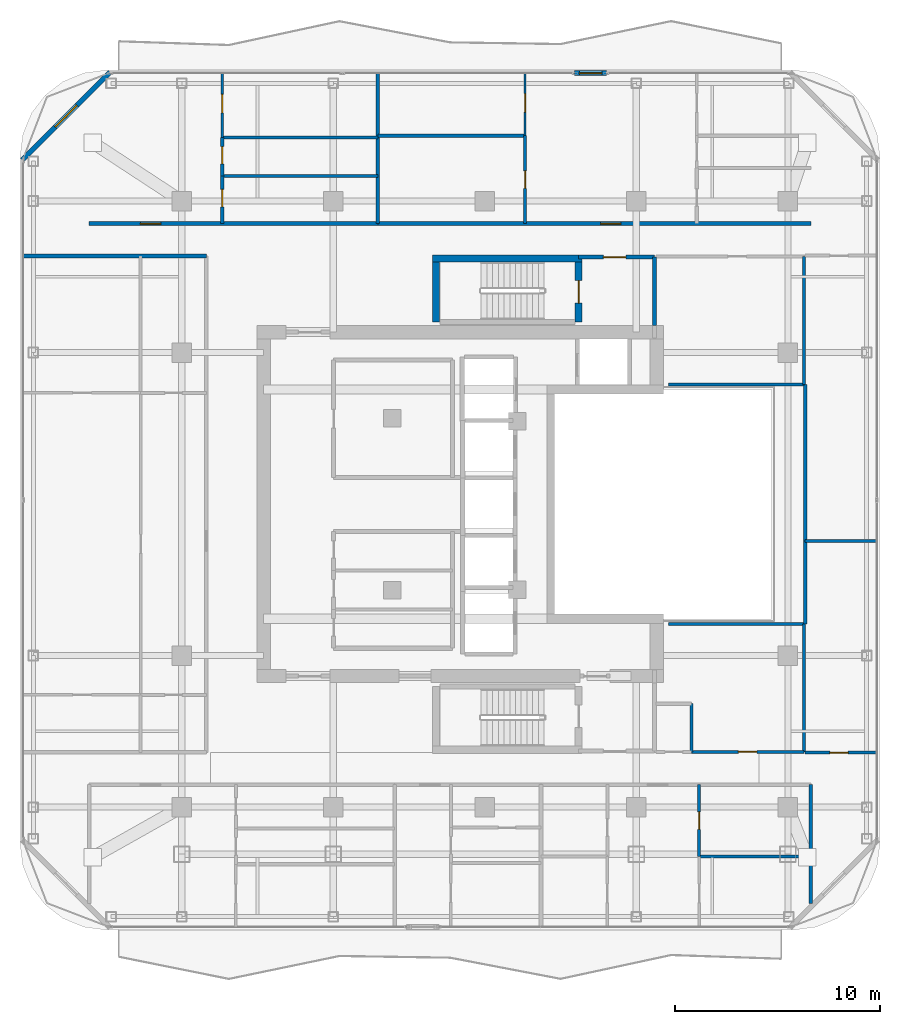
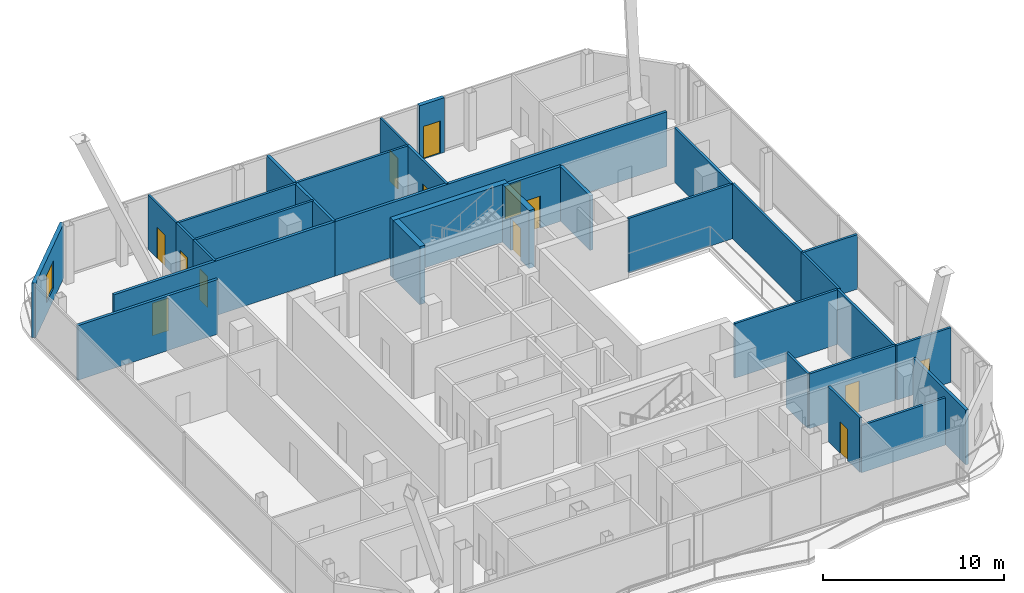
# One storey, part 20 of 24: 32 walls, 13 doors, 1 window, 14 openings.
"""IFC4 building model written with IfcOpenShell, lengths in metres."""

from ifc_helpers import new_model, si_unit, direction, frame, frame_2d, origin, place, context, subcontext, project, spatial, rectangle, extrude, material, layer, layer_set, type_object, element, fill, save


model = new_model("IFC4")

# Units and contexts
model_context = context("Model", 3, precision=1e-05, world=origin(), true_north=direction((0.0, 1.0)))
body_context = subcontext(model_context, "Body", "Model", "MODEL_VIEW")
ifc_project = project(units=[si_unit("LENGTHUNIT", "METRE"), si_unit("AREAUNIT", "SQUARE_METRE"), si_unit("VOLUMEUNIT", "CUBIC_METRE"), si_unit("PLANEANGLEUNIT", "RADIAN"), si_unit("MASSUNIT", "GRAM", prefix="KILO")], contexts=[model_context])

# Site, building, storey
site_placement = place(None, origin())
site = spatial("IfcSite", under=ifc_project, at=site_placement, CompositionType="ELEMENT")
building_placement = place(site_placement, origin())
building = spatial("IfcBuilding", under=site, at=building_placement, Name="Khorvyn Point Tower", CompositionType="ELEMENT")
storey_placement = place(building_placement, frame((0.0, 0.0, 301.5)))
storey = spatial("IfcBuildingStorey", under=building, at=storey_placement, Name="L74", CompositionType="ELEMENT", Elevation=301.5)

# Wall, opening, door
ifc_material_1 = material(Name="Double acoustic gypsum on twin steel stud", Category="steel")
ifc_layer_1 = layer(ifc_material_1, 0.179931640625)
ifc_layer_set_1 = layer_set([ifc_layer_1], Name="Acoustic Double-Stud Apartment Demising Wall 180")
wall_type_1 = type_object("IfcWallType", Name="Acoustic Double-Stud Apartment Demising Wall 180", PredefinedType="PARTITIONING", material=ifc_layer_set_1)
wall_1_placement = place(storey_placement, frame((-19.320068359375, 13.699951171875, 0.0), z_axis=(0.0, 0.0, 1.0), x_axis=(1.0, 0.0, 0.0)))
wall_1 = element("IfcWall", 1, at=wall_1_placement, inside=storey, type_object=wall_type_1, Name="Wall", PredefinedType="PARTITIONING", context=body_context, shape_type="SweptSolid", body=[
    extrude(rectangle(XDim=14.095947265625, YDim=0.179931640625, at=frame_2d((7.0478515625, 0.0))), origin(), (0.0, 0.0, 1.0), 3.679931640625),
])
opening_1_placement = place(wall_1_placement, frame((2.499267578125, 0.0, 0.0)))
opening_1 = element("IfcOpeningElement", 2, at=opening_1_placement, cuts=wall_1, Name="Opening ID-AP60", PredefinedType="OPENING", context=body_context, shape_type="SweptSolid", body=[
    extrude(rectangle(XDim=1.0, YDim=2.199951171875, at=frame_2d((0.5, 1.10009765625))), frame((0.0, 0.099853515625, 0.0), z_axis=(0.0, -1.0, 0.0), x_axis=(1.0, 0.0, 0.0)), (0.0, 0.0, 1.0), 0.199951171875),
])
ifc_material_2 = material(Name="Engineered hardwood fire-rated leaf", Category="wood")
door_type_1 = type_object("IfcDoorType", Name="Acoustic Solid-Core Timber Apartment Entrance Door 1000x2200", OperationType="NOTDEFINED", PredefinedType="DOOR", material=ifc_material_2)
door_1_placement = place(opening_1_placement, origin())
door_1 = element("IfcDoor", 3, at=door_1_placement, inside=storey, type_object=door_type_1, Name="Door", OperationType="SINGLE_SWING_LEFT", OverallHeight=2.199951171875, OverallWidth=1.0, PredefinedType="DOOR", context=body_context, shape_type="SweptSolid", body=[
    extrude(rectangle(XDim=1.0, YDim=2.199951171875, at=frame_2d((0.5, 1.10009765625))), frame((0.0, 0.02490234375, 0.0), z_axis=(0.0, -1.0, 0.0), x_axis=(1.0, 0.0, 0.0)), (0.0, 0.0, 1.0), 0.050048828125),
])
fill(opening_1, door_1)

wall_2_placement = place(storey_placement, frame((-5.22412109375, 13.699951171875, 0.0), z_axis=(0.0, 0.0, 1.0), x_axis=(1.0, 0.0, 0.0)))
wall_2 = element("IfcWall", 4, at=wall_2_placement, inside=storey, type_object=wall_type_1, Name="Wall", PredefinedType="PARTITIONING", context=body_context, shape_type="SweptSolid", body=[
    extrude(rectangle(XDim=21.14404296875, YDim=0.179931640625, at=frame_2d((10.572021484375, 0.0))), origin(), (0.0, 0.0, 1.0), 3.679931640625),
])
opening_2_placement = place(wall_2_placement, frame((10.875732421875, 0.0, 0.0)))
opening_2 = element("IfcOpeningElement", 5, at=opening_2_placement, cuts=wall_2, Name="Opening ID-AP60", PredefinedType="OPENING", context=body_context, shape_type="SweptSolid", body=[
    extrude(rectangle(XDim=1.0, YDim=2.199951171875, at=frame_2d((0.5, 1.10009765625))), frame((0.0, 0.099853515625, 0.0), z_axis=(0.0, -1.0, 0.0), x_axis=(1.0, 0.0, 0.0)), (0.0, 0.0, 1.0), 0.199951171875),
])
door_2_placement = place(opening_2_placement, origin())
door_2 = element("IfcDoor", 6, at=door_2_placement, inside=storey, type_object=door_type_1, Name="Door", OperationType="SINGLE_SWING_LEFT", OverallHeight=2.199951171875, OverallWidth=1.0, PredefinedType="DOOR", context=body_context, shape_type="SweptSolid", body=[
    extrude(rectangle(XDim=1.0, YDim=2.199951171875, at=frame_2d((0.5, 1.10009765625))), frame((0.0, 0.02490234375, 0.0), z_axis=(0.0, -1.0, 0.0), x_axis=(1.0, 0.0, 0.0)), (0.0, 0.0, 1.0), 0.050048828125),
])
fill(opening_2, door_2)

# Walls
wall_3_placement = place(storey_placement, frame((-5.22412109375, 13.699951171875, 0.0), z_axis=(0.0, 0.0, 1.0), x_axis=(0.0, 1.0, 0.0)))
element("IfcWall", 7, at=wall_3_placement, inside=storey, type_object=wall_type_1, Name="Wall", PredefinedType="PARTITIONING", context=body_context, shape_type="SweptSolid", body=[
    extrude(rectangle(XDim=7.330078125, YDim=0.179931640625, at=frame_2d((3.6650390625, 0.0))), origin(), (0.0, 0.0, 1.0), 3.679931640625),
])
wall_4_placement = place(storey_placement, frame((15.919921875, -19.510009765625, 0.0), z_axis=(0.0, 0.0, 1.0), x_axis=(0.0, 1.0, 0.0)))
element("IfcWall", 8, at=wall_4_placement, inside=storey, type_object=wall_type_1, Name="Wall", PredefinedType="PARTITIONING", context=body_context, shape_type="SweptSolid", body=[
    extrude(rectangle(XDim=5.81005859375, YDim=0.179931640625, at=frame_2d((2.905029296875, 0.0))), origin(), (0.0, 0.0, 1.0), 3.679931640625),
])
wall_5_placement = place(storey_placement, frame((-22.530029296875, 12.1201171875, 0.0), z_axis=(0.0, 0.0, 1.0), x_axis=(1.0, 0.0, 0.0)))
element("IfcWall", 9, at=wall_5_placement, inside=storey, type_object=wall_type_1, Name="Wall", PredefinedType="PARTITIONING", context=body_context, shape_type="SweptSolid", body=[
    extrude(rectangle(XDim=8.929931640625, YDim=0.179931640625, at=frame_2d((4.46484375, 0.0))), origin(), (0.0, 0.0, 1.0), 3.679931640625),
])

# Wall, opening, door
ifc_material_3 = material(Name="Pale anodised aluminium rainscreen on steel stud", Category="steel")
ifc_layer_2 = layer(ifc_material_3, 0.239990234375)
ifc_layer_set_2 = layer_set([ifc_layer_2], Name="Anodised Aluminium Insulated Corner Spandrel Wall 240")
wall_type_2 = type_object("IfcWallType", Name="Anodised Aluminium Insulated Corner Spandrel Wall 240", PredefinedType="SOLIDWALL", material=ifc_layer_set_2)
wall_6_placement = place(storey_placement, frame((4.3740234375, 21.050048828125, 0.0), z_axis=(0.0, 0.0, 1.0), x_axis=(1.0, 0.0, 0.0)))
wall_6 = element("IfcWall", 10, at=wall_6_placement, inside=storey, type_object=wall_type_2, Name="L74 North Outdoor Threshold Wall", PredefinedType="SOLIDWALL", context=body_context, shape_type="SweptSolid", body=[
    extrude(rectangle(XDim=1.580078125, YDim=0.239990234375, at=frame_2d((0.7900390625, 0.0))), origin(), (0.0, 0.0, 1.0), 3.679931640625),
])
opening_3_placement = place(wall_6_placement, frame((0.239990234375, 0.0, 0.0)))
opening_3 = element("IfcOpeningElement", 11, at=opening_3_placement, cuts=wall_6, Name="Opening BD-1122", PredefinedType="OPENING", context=body_context, shape_type="SweptSolid", body=[
    extrude(rectangle(XDim=1.10009765625, YDim=2.199951171875, at=frame_2d((0.550048828125, 1.10009765625))), frame((0.0, 0.1298828125, 0.0), z_axis=(0.0, -1.0, 0.0), x_axis=(1.0, 0.0, 0.0)), (0.0, 0.0, 1.0), 0.260009765625),
])
ifc_material_4 = material(Name="Anodised aluminium 6063-T6 and laminated Low-E glass", Category="aluminium")
door_type_2 = type_object("IfcDoorType", Name="Glazed Balcony and Terrace Threshold Door 1100x2200", OperationType="NOTDEFINED", PredefinedType="DOOR", material=ifc_material_4)
door_3_placement = place(opening_3_placement, origin())
door_3 = element("IfcDoor", 12, at=door_3_placement, inside=storey, type_object=door_type_2, Name="L74 North Glazed Balcony Outdoor Door", OperationType="SINGLE_SWING_RIGHT", OverallHeight=2.199951171875, OverallWidth=1.10009765625, PredefinedType="DOOR", context=body_context, shape_type="SweptSolid", body=[
    extrude(rectangle(XDim=1.10009765625, YDim=2.199951171875, at=frame_2d((0.550048828125, 1.10009765625))), frame((0.0, 0.02490234375, 0.0), z_axis=(0.0, -1.0, 0.0), x_axis=(1.0, 0.0, 0.0)), (0.0, 0.0, 1.0), 0.050048828125),
])
fill(opening_3, door_3)

# Wall, opening, window
wall_7_placement = place(storey_placement, frame((-22.59228515625, 16.8076171875, 0.0), z_axis=(0.0, 0.0, 1.0), x_axis=(0.707106781187, 0.707106781187, 0.0)))
wall_7 = element("IfcWall", 13, at=wall_7_placement, inside=storey, type_object=wall_type_2, Name="L74 Rounded Corner Wall NW", PredefinedType="SOLIDWALL", context=body_context, shape_type="SweptSolid", body=[
    extrude(rectangle(XDim=6.059326171875, YDim=0.239990234375, at=frame_2d((3.02978515625, 0.0))), origin(), (0.0, 0.0, 1.0), 3.679931640625),
])
opening_4_placement = place(wall_7_placement, frame((2.27978515625, 0.0, 0.800048828125)))
opening_4 = element("IfcOpeningElement", 14, at=opening_4_placement, cuts=wall_7, Name="Opening WN-1518", PredefinedType="OPENING", context=body_context, shape_type="SweptSolid", body=[
    extrude(rectangle(XDim=1.5, YDim=1.85009765625, at=frame_2d((0.75, 0.925048828125))), frame((0.0, 0.1298828125, 0.0), z_axis=(0.0, -1.0, 0.0), x_axis=(1.0, 0.0, 0.0)), (0.0, 0.0, 1.0), 0.260009765625),
])
window_type = type_object("IfcWindowType", Name="Anodised Aluminium Rounded-Corner Panoramic Window 1500x1850", PartitioningType="SINGLE_PANEL", PredefinedType="WINDOW", material=ifc_material_4)
window_placement = place(opening_4_placement, origin())
window = element("IfcWindow", 15, at=window_placement, inside=storey, type_object=window_type, Name="L74 Corner Panoramic Window NW", OverallHeight=1.85009765625, OverallWidth=1.5, PartitioningType="SINGLE_PANEL", PredefinedType="WINDOW", context=body_context, shape_type="SweptSolid", body=[
    extrude(rectangle(XDim=1.5, YDim=1.85009765625, at=frame_2d((0.75, 0.925048828125))), frame((0.0, 0.030029296875, 0.0), z_axis=(0.0, -1.0, 0.0), x_axis=(1.0, 0.0, 0.0)), (0.0, 0.0, 1.0), 0.06005859375),
])
fill(opening_4, window)

# Wall, opening, door
ifc_material_5 = material(Name="Concrete C40/50", Category="concrete")
ifc_layer_3 = layer(ifc_material_5, 0.199951171875)
ifc_layer_set_3 = layer_set([ifc_layer_3], Name="Concrete C40/50 Fire-Lobby Compartment Wall 200")
wall_type_3 = type_object("IfcWallType", Name="Concrete C40/50 Fire-Lobby Compartment Wall 200", PredefinedType="SOLIDWALL", material=ifc_layer_set_3)
wall_8_placement = place(storey_placement, frame((4.580078125, 12.06005859375, 0.0), z_axis=(0.0, 0.0, 1.0), x_axis=(1.0, 0.0, 0.0)))
wall_8 = element("IfcWall", 16, at=wall_8_placement, inside=storey, type_object=wall_type_3, Name="Wall", PredefinedType="SOLIDWALL", context=body_context, shape_type="SweptSolid", body=[
    extrude(rectangle(XDim=3.699951171875, YDim=0.199951171875, at=frame_2d((1.85009765625, 0.0))), origin(), (0.0, 0.0, 1.0), 3.679931640625),
])
opening_5_placement = place(wall_8_placement, frame((1.21240234375, 0.0, 0.0)))
opening_5 = element("IfcOpeningElement", 17, at=opening_5_placement, cuts=wall_8, Name="Opening ID-FL90", PredefinedType="OPENING", context=body_context, shape_type="SweptSolid", body=[
    extrude(rectangle(XDim=1.10009765625, YDim=2.14990234375, at=frame_2d((0.550048828125, 1.074951171875))), frame((0.0, 0.10986328125, 0.0), z_axis=(0.0, -1.0, 0.0), x_axis=(1.0, 0.0, 0.0)), (0.0, 0.0, 1.0), 0.219970703125),
])
ifc_material_6 = material(Name="Galvanised powder-coated steel", Category="steel")
door_type_3 = type_object("IfcDoorType", Name="Fire-Rated Steel Lobby and Stair Door 1100x2150", OperationType="NOTDEFINED", PredefinedType="DOOR", material=ifc_material_6)
door_4_placement = place(opening_5_placement, origin())
door_4 = element("IfcDoor", 18, at=door_4_placement, inside=storey, type_object=door_type_3, Name="Door", OperationType="SINGLE_SWING_LEFT", OverallHeight=2.14990234375, OverallWidth=1.10009765625, PredefinedType="DOOR", context=body_context, shape_type="SweptSolid", body=[
    extrude(rectangle(XDim=1.10009765625, YDim=2.14990234375, at=frame_2d((0.550048828125, 1.074951171875))), frame((0.0, 0.02490234375, 0.0), z_axis=(0.0, -1.0, 0.0), x_axis=(1.0, 0.0, 0.0)), (0.0, 0.0, 1.0), 0.050048828125),
])
fill(opening_5, door_4)

# Walls
wall_9_placement = place(storey_placement, frame((8.280029296875, 8.72509765625, 0.0), z_axis=(0.0, 0.0, 1.0), x_axis=(0.0, 1.0, 0.0)))
element("IfcWall", 19, at=wall_9_placement, inside=storey, type_object=wall_type_3, Name="Wall", PredefinedType="SOLIDWALL", context=body_context, shape_type="SweptSolid", body=[
    extrude(rectangle(XDim=3.3349609375, YDim=0.199951171875, at=frame_2d((1.66748046875, 0.0))), origin(), (0.0, 0.0, 1.0), 3.679931640625),
])
ifc_layer_4 = layer(ifc_material_5, 0.35009765625)
ifc_layer_set_4 = layer_set([ifc_layer_4], Name="Concrete C40/50 Stair Shaft Structural Wall 350")
wall_type_4 = type_object("IfcWallType", Name="Concrete C40/50 Stair Shaft Structural Wall 350", PredefinedType="SHEAR", material=ifc_layer_set_4)
wall_10_placement = place(storey_placement, frame((-2.554931640625, 12.0, 0.0), z_axis=(0.0, 0.0, 1.0), x_axis=(1.0, 0.0, 0.0)))
element("IfcWall", 20, at=wall_10_placement, inside=storey, type_object=wall_type_4, Name="L74 ST-02 North Shaft Wall", PredefinedType="SHEAR", context=body_context, shape_type="SweptSolid", body=[
    extrude(rectangle(XDim=7.309814453125, YDim=0.35009765625, at=frame_2d((3.65478515625, 0.0))), origin(), (0.0, 0.0, 1.0), 3.89990234375),
])
wall_11_placement = place(storey_placement, frame((-2.3798828125, 8.89990234375, 0.0), z_axis=(0.0, 0.0, 1.0), x_axis=(0.0, 1.0, 0.0)))
element("IfcWall", 21, at=wall_11_placement, inside=storey, type_object=wall_type_4, Name="L74 ST-02 West Shaft Wall", PredefinedType="SHEAR", context=body_context, shape_type="SweptSolid", body=[
    extrude(rectangle(XDim=2.925048828125, YDim=0.35009765625, at=frame_2d((1.46240234375, 0.0))), origin(), (0.0, 0.0, 1.0), 3.89990234375),
])

# Wall, opening, door
wall_12_placement = place(storey_placement, frame((4.580078125, 11.824951171875, 0.0), z_axis=(0.0, 0.0, 1.0), x_axis=(0.0, -1.0, 0.0)))
wall_12 = element("IfcWall", 22, at=wall_12_placement, inside=storey, type_object=wall_type_4, Name="L74 ST-02 East Landing Door Wall", PredefinedType="SHEAR", context=body_context, shape_type="SweptSolid", body=[
    extrude(rectangle(XDim=2.925048828125, YDim=0.35009765625, at=frame_2d((1.46240234375, 0.0))), origin(), (0.0, 0.0, 1.0), 3.89990234375),
])
opening_6_placement = place(wall_12_placement, frame((0.91259765625, 0.0, 0.0)))
opening_6 = element("IfcOpeningElement", 23, at=opening_6_placement, cuts=wall_12, Name="Opening ID-FL90", PredefinedType="OPENING", context=body_context, shape_type="SweptSolid", body=[
    extrude(rectangle(XDim=1.10009765625, YDim=2.14990234375, at=frame_2d((0.550048828125, 1.074951171875))), frame((0.0, 0.18505859375, 0.0), z_axis=(0.0, -1.0, 0.0), x_axis=(1.0, 0.0, 0.0)), (0.0, 0.0, 1.0), 0.3701171875),
])
door_5_placement = place(opening_6_placement, origin())
door_5 = element("IfcDoor", 24, at=door_5_placement, inside=storey, type_object=door_type_3, Name="L74 ST-02 Smokeproof Landing Door", OperationType="SINGLE_SWING_LEFT", OverallHeight=2.14990234375, OverallWidth=1.10009765625, PredefinedType="DOOR", context=body_context, shape_type="SweptSolid", body=[
    extrude(rectangle(XDim=1.10009765625, YDim=2.14990234375, at=frame_2d((0.550048828125, 1.074951171875))), frame((0.0, 0.02490234375, 0.0), z_axis=(0.0, -1.0, 0.0), x_axis=(1.0, 0.0, 0.0)), (0.0, 0.0, 1.0), 0.050048828125),
])
fill(opening_6, door_5)

ifc_material_7 = material(Name="Gypsum plasterboard on steel stud", Category="steel")
ifc_layer_5 = layer(ifc_material_7, 0.1201171875)
ifc_layer_set_5 = layer_set([ifc_layer_5], Name="Gypsum Acoustic Stud Room Partition Wall 120")
wall_type_5 = type_object("IfcWallType", Name="Gypsum Acoustic Stud Room Partition Wall 120", PredefinedType="PARTITIONING", material=ifc_layer_set_5)
wall_13_placement = place(storey_placement, frame((-12.822021484375, 17.9130859375, 0.0), z_axis=(0.0, 0.0, 1.0), x_axis=(0.0, 1.0, 0.0)))
wall_13 = element("IfcWall", 25, at=wall_13_placement, inside=storey, type_object=wall_type_5, Name="Wall", PredefinedType="PARTITIONING", context=body_context, shape_type="SweptSolid", body=[
    extrude(rectangle(XDim=3.116943359375, YDim=0.1201171875, at=frame_2d((1.55859375, 0.0))), origin(), (0.0, 0.0, 1.0), 3.679931640625),
])
opening_7_placement = place(wall_13_placement, frame((1.194580078125, 0.0, 0.0)))
opening_7 = element("IfcOpeningElement", 26, at=opening_7_placement, cuts=wall_13, Name="Opening ID-RM90", PredefinedType="OPENING", context=body_context, shape_type="SweptSolid", body=[
    extrude(rectangle(XDim=0.89990234375, YDim=2.10009765625, at=frame_2d((0.449951171875, 1.050048828125))), frame((0.0, 0.070068359375, 0.0), z_axis=(0.0, -1.0, 0.0), x_axis=(1.0, 0.0, 0.0)), (0.0, 0.0, 1.0), 0.14013671875),
])
ifc_material_8 = material(Name="Engineered oak veneer timber", Category="wood")
door_type_4 = type_object("IfcDoorType", Name="Flush Engineered Timber Room Door 900x2100", OperationType="NOTDEFINED", PredefinedType="DOOR", material=ifc_material_8)
door_6_placement = place(opening_7_placement, origin())
door_6 = element("IfcDoor", 27, at=door_6_placement, inside=storey, type_object=door_type_4, Name="Door", OperationType="SINGLE_SWING_RIGHT", OverallHeight=2.10009765625, OverallWidth=0.89990234375, PredefinedType="DOOR", context=body_context, shape_type="SweptSolid", body=[
    extrude(rectangle(XDim=0.89990234375, YDim=2.10009765625, at=frame_2d((0.449951171875, 1.050048828125))), frame((0.0, 0.02490234375, 0.0), z_axis=(0.0, -1.0, 0.0), x_axis=(1.0, 0.0, 0.0)), (0.0, 0.0, 1.0), 0.050048828125),
])
fill(opening_7, door_6)

wall_14_placement = place(storey_placement, frame((1.964111328125, 17.989990234375, 0.0), z_axis=(0.0, 0.0, 1.0), x_axis=(0.0, 1.0, 0.0)))
wall_14 = element("IfcWall", 28, at=wall_14_placement, inside=storey, type_object=wall_type_5, Name="Wall", PredefinedType="PARTITIONING", context=body_context, shape_type="SweptSolid", body=[
    extrude(rectangle(XDim=3.0400390625, YDim=0.1201171875, at=frame_2d((1.52001953125, 0.0))), origin(), (0.0, 0.0, 1.0), 3.679931640625),
])
opening_8_placement = place(wall_14_placement, frame((1.152587890625, 0.0, 0.0)))
opening_8 = element("IfcOpeningElement", 29, at=opening_8_placement, cuts=wall_14, Name="Opening ID-RM90", PredefinedType="OPENING", context=body_context, shape_type="SweptSolid", body=[
    extrude(rectangle(XDim=0.89990234375, YDim=2.10009765625, at=frame_2d((0.449951171875, 1.050048828125))), frame((0.0, 0.070068359375, 0.0), z_axis=(0.0, -1.0, 0.0), x_axis=(1.0, 0.0, 0.0)), (0.0, 0.0, 1.0), 0.14013671875),
])
door_7_placement = place(opening_8_placement, origin())
door_7 = element("IfcDoor", 30, at=door_7_placement, inside=storey, type_object=door_type_4, Name="Door", OperationType="SINGLE_SWING_LEFT", OverallHeight=2.10009765625, OverallWidth=0.89990234375, PredefinedType="DOOR", context=body_context, shape_type="SweptSolid", body=[
    extrude(rectangle(XDim=0.89990234375, YDim=2.10009765625, at=frame_2d((0.449951171875, 1.050048828125))), frame((0.0, 0.02490234375, 0.0), z_axis=(0.0, -1.0, 0.0), x_axis=(1.0, 0.0, 0.0)), (0.0, 0.0, 1.0), 0.050048828125),
])
fill(opening_8, door_7)

ifc_material_9 = material(Name="Moisture-resistant gypsum and cement board", Category="gypsum")
ifc_layer_6 = layer(ifc_material_9, 0.14990234375)
ifc_layer_set_6 = layer_set([ifc_layer_6], Name="Moisture-Resistant Wet-Room Partition Wall 150")
wall_type_6 = type_object("IfcWallType", Name="Moisture-Resistant Wet-Room Partition Wall 150", PredefinedType="PARTITIONING", material=ifc_layer_set_6)
wall_15_placement = place(storey_placement, frame((10.10009765625, -12.10009765625, 0.0), z_axis=(0.0, 0.0, 1.0), x_axis=(1.0, 0.0, 0.0)))
wall_15 = element("IfcWall", 31, at=wall_15_placement, inside=storey, type_object=wall_type_6, Name="Wall", PredefinedType="PARTITIONING", context=body_context, shape_type="SweptSolid", body=[
    extrude(rectangle(XDim=5.47998046875, YDim=0.14990234375, at=frame_2d((2.739990234375, 0.0))), origin(), (0.0, 0.0, 1.0), 3.679931640625),
])
opening_9_placement = place(wall_15_placement, frame((2.2900390625, 0.0, 0.0)))
opening_9 = element("IfcOpeningElement", 32, at=opening_9_placement, cuts=wall_15, Name="Opening ID-RM90", PredefinedType="OPENING", context=body_context, shape_type="SweptSolid", body=[
    extrude(rectangle(XDim=0.89990234375, YDim=2.10009765625, at=frame_2d((0.449951171875, 1.050048828125))), frame((0.0, 0.0849609375, 0.0), z_axis=(0.0, -1.0, 0.0), x_axis=(1.0, 0.0, 0.0)), (0.0, 0.0, 1.0), 0.169921875),
])
door_8_placement = place(opening_9_placement, origin())
door_8 = element("IfcDoor", 33, at=door_8_placement, inside=storey, type_object=door_type_4, Name="Door", OperationType="SINGLE_SWING_LEFT", OverallHeight=2.10009765625, OverallWidth=0.89990234375, PredefinedType="DOOR", context=body_context, shape_type="SweptSolid", body=[
    extrude(rectangle(XDim=0.89990234375, YDim=2.10009765625, at=frame_2d((0.449951171875, 1.050048828125))), frame((0.0, 0.02490234375, 0.0), z_axis=(0.0, -1.0, 0.0), x_axis=(1.0, 0.0, 0.0)), (0.0, 0.0, 1.0), 0.050048828125),
])
fill(opening_9, door_8)

wall_16_placement = place(storey_placement, frame((-12.822021484375, 13.699951171875, 0.0), z_axis=(0.0, 0.0, 1.0), x_axis=(0.0, 1.0, 0.0)))
wall_16 = element("IfcWall", 34, at=wall_16_placement, inside=storey, type_object=wall_type_6, Name="Wall", PredefinedType="PARTITIONING", context=body_context, shape_type="SweptSolid", body=[
    extrude(rectangle(XDim=2.317138671875, YDim=0.14990234375, at=frame_2d((1.15869140625, 0.0))), origin(), (0.0, 0.0, 1.0), 3.679931640625),
])
opening_10_placement = place(wall_16_placement, frame((0.8154296875, 0.0, 0.0)))
opening_10 = element("IfcOpeningElement", 35, at=opening_10_placement, cuts=wall_16, Name="Opening ID-WC85", PredefinedType="OPENING", context=body_context, shape_type="SweptSolid", body=[
    extrude(rectangle(XDim=0.85009765625, YDim=2.10009765625, at=frame_2d((0.425048828125, 1.050048828125))), frame((0.0, 0.0849609375, 0.0), z_axis=(0.0, -1.0, 0.0), x_axis=(1.0, 0.0, 0.0)), (0.0, 0.0, 1.0), 0.169921875),
])
ifc_material_10 = material(Name="High-pressure laminate on moisture-resistant core", Category="wood")
door_type_5 = type_object("IfcDoorType", Name="Moisture-Resistant Accessible Washroom Door 850x2100", OperationType="NOTDEFINED", PredefinedType="DOOR", material=ifc_material_10)
door_9_placement = place(opening_10_placement, origin())
door_9 = element("IfcDoor", 36, at=door_9_placement, inside=storey, type_object=door_type_5, Name="Door", OperationType="SINGLE_SWING_RIGHT", OverallHeight=2.10009765625, OverallWidth=0.85009765625, PredefinedType="DOOR", context=body_context, shape_type="SweptSolid", body=[
    extrude(rectangle(XDim=0.85009765625, YDim=2.10009765625, at=frame_2d((0.425048828125, 1.050048828125))), frame((0.0, 0.02490234375, 0.0), z_axis=(0.0, -1.0, 0.0), x_axis=(1.0, 0.0, 0.0)), (0.0, 0.0, 1.0), 0.050048828125),
])
fill(opening_10, door_9)

wall_17_placement = place(storey_placement, frame((-12.822021484375, 16.01708984375, 0.0), z_axis=(0.0, 0.0, 1.0), x_axis=(0.0, 1.0, 0.0)))
wall_17 = element("IfcWall", 37, at=wall_17_placement, inside=storey, type_object=wall_type_6, Name="Wall", PredefinedType="PARTITIONING", context=body_context, shape_type="SweptSolid", body=[
    extrude(rectangle(XDim=1.89599609375, YDim=0.14990234375, at=frame_2d((0.947998046875, 0.0))), origin(), (0.0, 0.0, 1.0), 3.679931640625),
])
opening_11_placement = place(wall_17_placement, frame((0.595703125, 0.0, 0.0)))
opening_11 = element("IfcOpeningElement", 38, at=opening_11_placement, cuts=wall_17, Name="Opening ID-WC85", PredefinedType="OPENING", context=body_context, shape_type="SweptSolid", body=[
    extrude(rectangle(XDim=0.85009765625, YDim=2.10009765625, at=frame_2d((0.425048828125, 1.050048828125))), frame((0.0, 0.0849609375, 0.0), z_axis=(0.0, -1.0, 0.0), x_axis=(1.0, 0.0, 0.0)), (0.0, 0.0, 1.0), 0.169921875),
])
door_10_placement = place(opening_11_placement, origin())
door_10 = element("IfcDoor", 39, at=door_10_placement, inside=storey, type_object=door_type_5, Name="Door", OperationType="SINGLE_SWING_LEFT", OverallHeight=2.10009765625, OverallWidth=0.85009765625, PredefinedType="DOOR", context=body_context, shape_type="SweptSolid", body=[
    extrude(rectangle(XDim=0.85009765625, YDim=2.10009765625, at=frame_2d((0.425048828125, 1.050048828125))), frame((0.0, 0.02490234375, 0.0), z_axis=(0.0, -1.0, 0.0), x_axis=(1.0, 0.0, 0.0)), (0.0, 0.0, 1.0), 0.050048828125),
])
fill(opening_11, door_10)

wall_18_placement = place(storey_placement, frame((1.964111328125, 13.699951171875, 0.0), z_axis=(0.0, 0.0, 1.0), x_axis=(0.0, 1.0, 0.0)))
wall_18 = element("IfcWall", 40, at=wall_18_placement, inside=storey, type_object=wall_type_6, Name="Wall", PredefinedType="PARTITIONING", context=body_context, shape_type="SweptSolid", body=[
    extrude(rectangle(XDim=4.2900390625, YDim=0.14990234375, at=frame_2d((2.14501953125, 0.0))), origin(), (0.0, 0.0, 1.0), 3.679931640625),
])
opening_12_placement = place(wall_18_placement, frame((1.719970703125, 0.0, 0.0)))
opening_12 = element("IfcOpeningElement", 41, at=opening_12_placement, cuts=wall_18, Name="Opening ID-WC85", PredefinedType="OPENING", context=body_context, shape_type="SweptSolid", body=[
    extrude(rectangle(XDim=0.85009765625, YDim=2.10009765625, at=frame_2d((0.425048828125, 1.050048828125))), frame((0.0, 0.0849609375, 0.0), z_axis=(0.0, -1.0, 0.0), x_axis=(1.0, 0.0, 0.0)), (0.0, 0.0, 1.0), 0.169921875),
])
door_11_placement = place(opening_12_placement, origin())
door_11 = element("IfcDoor", 42, at=door_11_placement, inside=storey, type_object=door_type_5, Name="Door", OperationType="SINGLE_SWING_RIGHT", OverallHeight=2.10009765625, OverallWidth=0.85009765625, PredefinedType="DOOR", context=body_context, shape_type="SweptSolid", body=[
    extrude(rectangle(XDim=0.85009765625, YDim=2.10009765625, at=frame_2d((0.425048828125, 1.050048828125))), frame((0.0, 0.02490234375, 0.0), z_axis=(0.0, -1.0, 0.0), x_axis=(1.0, 0.0, 0.0)), (0.0, 0.0, 1.0), 0.050048828125),
])
fill(opening_12, door_11)

wall_19_placement = place(storey_placement, frame((10.469970703125, -17.218994140625, 0.0), z_axis=(0.0, 0.0, 1.0), x_axis=(0.0, 1.0, 0.0)))
wall_19 = element("IfcWall", 43, at=wall_19_placement, inside=storey, type_object=wall_type_6, Name="Wall", PredefinedType="PARTITIONING", context=body_context, shape_type="SweptSolid", body=[
    extrude(rectangle(XDim=3.51904296875, YDim=0.14990234375, at=frame_2d((1.759521484375, 0.0))), origin(), (0.0, 0.0, 1.0), 3.679931640625),
])
opening_13_placement = place(wall_19_placement, frame((1.33447265625, 0.0, 0.0)))
opening_13 = element("IfcOpeningElement", 44, at=opening_13_placement, cuts=wall_19, Name="Opening ID-WC85", PredefinedType="OPENING", context=body_context, shape_type="SweptSolid", body=[
    extrude(rectangle(XDim=0.85009765625, YDim=2.10009765625, at=frame_2d((0.425048828125, 1.050048828125))), frame((0.0, 0.0849609375, 0.0), z_axis=(0.0, -1.0, 0.0), x_axis=(1.0, 0.0, 0.0)), (0.0, 0.0, 1.0), 0.169921875),
])
door_12_placement = place(opening_13_placement, origin())
door_12 = element("IfcDoor", 45, at=door_12_placement, inside=storey, type_object=door_type_5, Name="Door", OperationType="SINGLE_SWING_RIGHT", OverallHeight=2.10009765625, OverallWidth=0.85009765625, PredefinedType="DOOR", context=body_context, shape_type="SweptSolid", body=[
    extrude(rectangle(XDim=0.85009765625, YDim=2.10009765625, at=frame_2d((0.425048828125, 1.050048828125))), frame((0.0, 0.02490234375, 0.0), z_axis=(0.0, -1.0, 0.0), x_axis=(1.0, 0.0, 0.0)), (0.0, 0.0, 1.0), 0.050048828125),
])
fill(opening_13, door_12)

wall_20_placement = place(storey_placement, frame((15.64990234375, -12.139892578125, 0.0), z_axis=(0.0, 0.0, 1.0), x_axis=(1.0, 0.0, 0.0)))
wall_20 = element("IfcWall", 46, at=wall_20_placement, inside=storey, type_object=wall_type_6, Name="Wall", PredefinedType="PARTITIONING", context=body_context, shape_type="SweptSolid", body=[
    extrude(rectangle(XDim=3.47021484375, YDim=0.14990234375, at=frame_2d((1.735107421875, 0.0))), origin(), (0.0, 0.0, 1.0), 3.679931640625),
])
opening_14_placement = place(wall_20_placement, frame((1.198486328125, 0.0, 0.0)))
opening_14 = element("IfcOpeningElement", 47, at=opening_14_placement, cuts=wall_20, Name="Opening ID-RM90", PredefinedType="OPENING", context=body_context, shape_type="SweptSolid", body=[
    extrude(rectangle(XDim=0.89990234375, YDim=2.10009765625, at=frame_2d((0.449951171875, 1.050048828125))), frame((0.0, 0.0849609375, 0.0), z_axis=(0.0, -1.0, 0.0), x_axis=(1.0, 0.0, 0.0)), (0.0, 0.0, 1.0), 0.169921875),
])
door_13_placement = place(opening_14_placement, origin())
door_13 = element("IfcDoor", 48, at=door_13_placement, inside=storey, type_object=door_type_4, Name="Door", OperationType="SINGLE_SWING_RIGHT", OverallHeight=2.10009765625, OverallWidth=0.89990234375, PredefinedType="DOOR", context=body_context, shape_type="SweptSolid", body=[
    extrude(rectangle(XDim=0.89990234375, YDim=2.10009765625, at=frame_2d((0.449951171875, 1.050048828125))), frame((0.0, 0.02490234375, 0.0), z_axis=(0.0, -1.0, 0.0), x_axis=(1.0, 0.0, 0.0)), (0.0, 0.0, 1.0), 0.050048828125),
])
fill(opening_14, door_13)

# Walls
wall_21_placement = place(storey_placement, frame((10.10009765625, -12.10009765625, 0.0), z_axis=(0.0, 0.0, 1.0), x_axis=(0.0, 1.0, 0.0)))
element("IfcWall", 49, at=wall_21_placement, inside=storey, type_object=wall_type_6, Name="Wall", PredefinedType="PARTITIONING", context=body_context, shape_type="SweptSolid", body=[
    extrude(rectangle(XDim=2.35009765625, YDim=0.14990234375, at=frame_2d((1.175048828125, 0.0))), origin(), (0.0, 0.0, 1.0), 3.679931640625),
])
wall_22_placement = place(storey_placement, frame((15.580078125, -12.10009765625, 0.0), z_axis=(0.0, 0.0, 1.0), x_axis=(0.0, 1.0, 0.0)))
element("IfcWall", 50, at=wall_22_placement, inside=storey, type_object=wall_type_6, Name="Wall", PredefinedType="PARTITIONING", context=body_context, shape_type="SweptSolid", body=[
    extrude(rectangle(XDim=6.25, YDim=0.14990234375, at=frame_2d((3.125, 0.0))), origin(), (0.0, 0.0, 1.0), 3.679931640625),
])
wall_23_placement = place(storey_placement, frame((8.9599609375, -5.85009765625, 0.0), z_axis=(0.0, 0.0, 1.0), x_axis=(1.0, 0.0, 0.0)))
element("IfcWall", 51, at=wall_23_placement, inside=storey, type_object=wall_type_6, Name="Wall", PredefinedType="PARTITIONING", context=body_context, shape_type="SweptSolid", body=[
    extrude(rectangle(XDim=6.6201171875, YDim=0.14990234375, at=frame_2d((3.31005859375, 0.0))), origin(), (0.0, 0.0, 1.0), 3.679931640625),
])
wall_24_placement = place(storey_placement, frame((15.580078125, 5.85009765625, 0.0), z_axis=(0.0, 0.0, 1.0), x_axis=(0.0, 1.0, 0.0)))
element("IfcWall", 52, at=wall_24_placement, inside=storey, type_object=wall_type_6, Name="Wall", PredefinedType="PARTITIONING", context=body_context, shape_type="SweptSolid", body=[
    extrude(rectangle(XDim=6.25, YDim=0.14990234375, at=frame_2d((3.125, 0.0))), origin(), (0.0, 0.0, 1.0), 3.679931640625),
])
wall_25_placement = place(storey_placement, frame((8.9599609375, 5.85009765625, 0.0), z_axis=(0.0, 0.0, 1.0), x_axis=(1.0, 0.0, 0.0)))
element("IfcWall", 53, at=wall_25_placement, inside=storey, type_object=wall_type_6, Name="Wall", PredefinedType="PARTITIONING", context=body_context, shape_type="SweptSolid", body=[
    extrude(rectangle(XDim=6.6201171875, YDim=0.14990234375, at=frame_2d((3.31005859375, 0.0))), origin(), (0.0, 0.0, 1.0), 3.679931640625),
])
for number, where, z_axis, x_axis, name in (
    (54, (-12.822021484375, 16.01708984375, 0.0), (0.0, 0.0, 1.0), (1.0, 0.0, 0.0), "Wall"),
    (55, (-12.822021484375, 17.9130859375, 0.0), (0.0, 0.0, 1.0), (1.0, 0.0, 0.0), "Wall"),
):
    element("IfcWall", number, at=place(storey_placement, frame(where, z_axis=z_axis, x_axis=x_axis)), inside=storey, type_object=wall_type_6, Name=name, PredefinedType="PARTITIONING", context=body_context, shape_type="SweptSolid", body=[
        extrude(rectangle(XDim=7.597900390625, YDim=0.14990234375, at=frame_2d((3.798828125, 0.0))), origin(), (0.0, 0.0, 1.0), 3.679931640625),
    ])
wall_26_placement = place(storey_placement, frame((-5.22412109375, 17.989990234375, 0.0), z_axis=(0.0, 0.0, 1.0), x_axis=(1.0, 0.0, 0.0)))
element("IfcWall", 56, at=wall_26_placement, inside=storey, type_object=wall_type_6, Name="Wall", PredefinedType="PARTITIONING", context=body_context, shape_type="SweptSolid", body=[
    extrude(rectangle(XDim=7.188232421875, YDim=0.14990234375, at=frame_2d((3.59423828125, 0.0))), origin(), (0.0, 0.0, 1.0), 3.679931640625),
])
wall_27_placement = place(storey_placement, frame((10.469970703125, -17.218994140625, 0.0), z_axis=(0.0, 0.0, 1.0), x_axis=(1.0, 0.0, 0.0)))
element("IfcWall", 57, at=wall_27_placement, inside=storey, type_object=wall_type_6, Name="Wall", PredefinedType="PARTITIONING", context=body_context, shape_type="SweptSolid", body=[
    extrude(rectangle(XDim=5.449951171875, YDim=0.14990234375, at=frame_2d((2.72509765625, 0.0))), origin(), (0.0, 0.0, 1.0), 3.181884765625),
])
wall_28_placement = place(storey_placement, frame((15.64990234375, -5.85009765625, 0.0), z_axis=(0.0, 0.0, 1.0), x_axis=(0.0, 1.0, 0.0)))
element("IfcWall", 58, at=wall_28_placement, inside=storey, type_object=wall_type_6, Name="Wall", PredefinedType="PARTITIONING", context=body_context, shape_type="SweptSolid", body=[
    extrude(rectangle(XDim=4.050048828125, YDim=0.14990234375, at=frame_2d((2.02490234375, 0.0))), origin(), (0.0, 0.0, 1.0), 3.679931640625),
])
wall_29_placement = place(storey_placement, frame((15.64990234375, -1.800048828125, 0.0), z_axis=(0.0, 0.0, 1.0), x_axis=(0.0, 1.0, 0.0)))
element("IfcWall", 59, at=wall_29_placement, inside=storey, type_object=wall_type_6, Name="Wall", PredefinedType="PARTITIONING", context=body_context, shape_type="SweptSolid", body=[
    extrude(rectangle(XDim=7.650146484375, YDim=0.14990234375, at=frame_2d((3.8251953125, 0.0))), origin(), (0.0, 0.0, 1.0), 3.679931640625),
])
wall_30_placement = place(storey_placement, frame((15.64990234375, -1.800048828125, 0.0), z_axis=(0.0, 0.0, 1.0), x_axis=(1.0, 0.0, 0.0)))
element("IfcWall", 60, at=wall_30_placement, inside=storey, type_object=wall_type_6, Name="Wall", PredefinedType="PARTITIONING", context=body_context, shape_type="SweptSolid", body=[
    extrude(rectangle(XDim=3.47998046875, YDim=0.14990234375, at=frame_2d((1.739990234375, 0.0))), origin(), (0.0, 0.0, 1.0), 3.679931640625),
])

save(model, "model.ifc")
